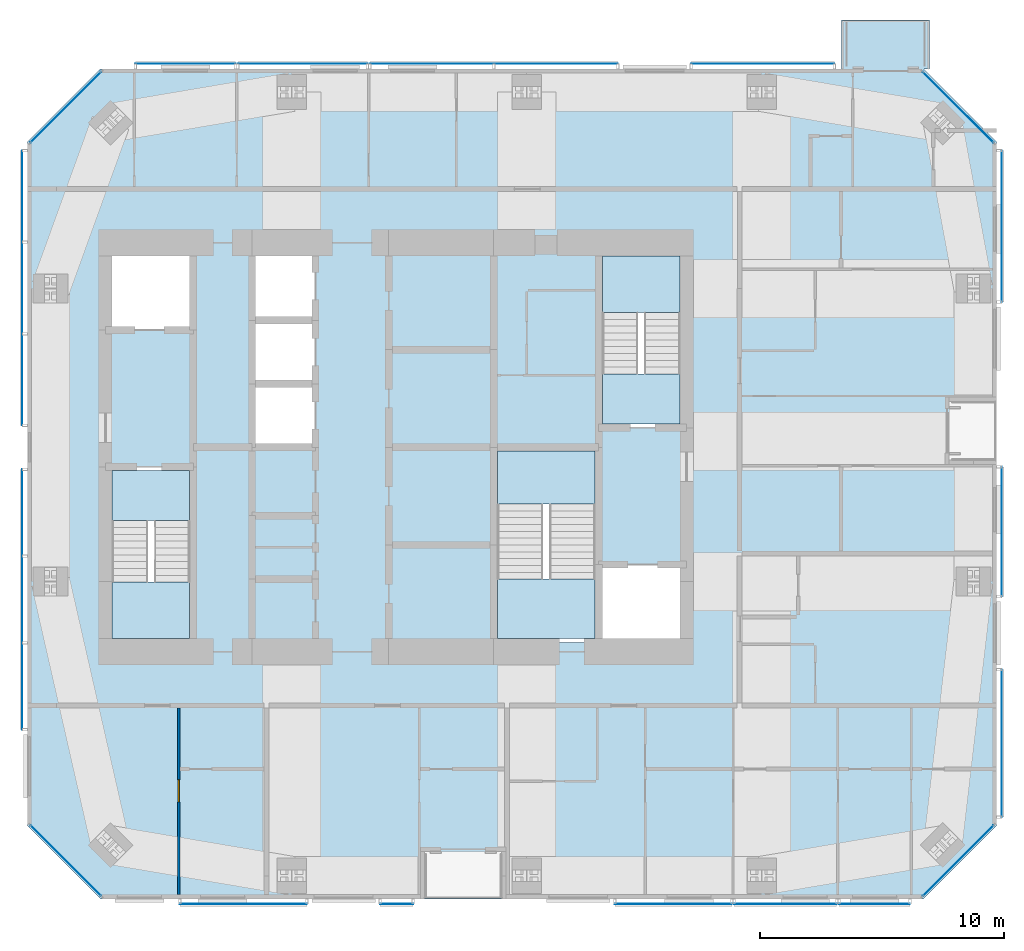
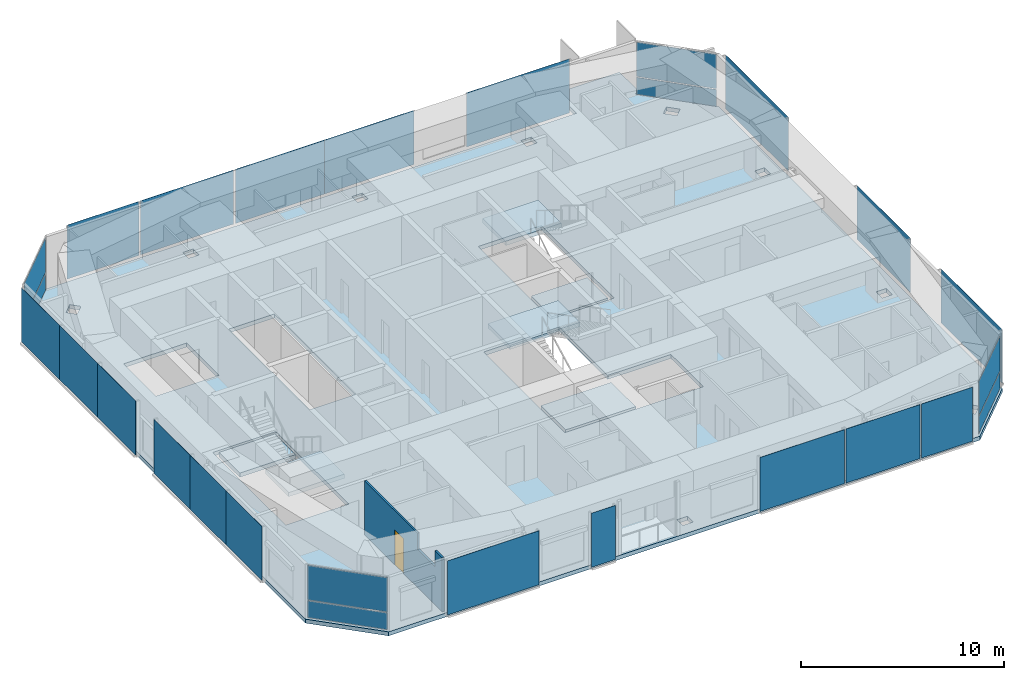
# One storey, part 13 of 20: 27 plates, 7 slabs, 1 door, 1 wall, 1 opening, 21 elements without a shape of their own.
"""IFC4 building model written with IfcOpenShell, lengths in metres."""

from ifc_helpers import new_model, si_unit, direction, frame, frame_2d, origin, origin_2d, place, context, subcontext, project, spatial, polyline, rectangle, outline, extrude, material, layer, layer_set, constituent, constituent_set, type_object, element, fill, aggregate, save


model = new_model("IFC4")

# Units and contexts
model_context = context("Model", 3, precision=1e-05, world=origin(), true_north=direction((0.0, 1.0)))
body_context = subcontext(model_context, "Body", "Model", "MODEL_VIEW")
ifc_project = project(units=[si_unit("LENGTHUNIT", "METRE"), si_unit("AREAUNIT", "SQUARE_METRE"), si_unit("VOLUMEUNIT", "CUBIC_METRE"), si_unit("PLANEANGLEUNIT", "RADIAN"), si_unit("MASSUNIT", "GRAM", prefix="KILO")], contexts=[model_context])

# Site, building, storey
site_placement = place(None, origin())
site = spatial("IfcSite", under=ifc_project, at=site_placement, CompositionType="ELEMENT")
building_placement = place(site_placement, origin())
building = spatial("IfcBuilding", under=site, at=building_placement, Name="Jalousie Tower", CompositionType="ELEMENT")
storey_placement = place(building_placement, frame((0.0, 0.0, 242.449951171875)))
storey = spatial("IfcBuildingStorey", under=building, at=storey_placement, Name="L66", CompositionType="ELEMENT", Elevation=242.449951171875)

# Curtain wall, plates
ifc_material_1 = material(Name="Aluminium curtain wall", Category="aluminium")
curtain_wall_type_1 = type_object("IfcCurtainWallType", Name="CORNER WINDOW WALL", PredefinedType="USERDEFINED", material=ifc_material_1)
curtain_wall_1_placement = place(storey_placement, origin())
curtain_wall_1 = element("IfcCurtainWall", 1, at=curtain_wall_1_placement, inside=storey, type_object=curtain_wall_type_1, Name="Corner Window Wall L66 2", ObjectType="CORNER WINDOW WALL", PredefinedType="USERDEFINED")
ifc_material_2 = material(Name="Laminated impact-rated spandrel glass", Category="glass")
ifc_layer_1 = layer(ifc_material_2, 0.028076171875)
ifc_layer_set_1 = layer_set([ifc_layer_1], Name="Laminated impact-rated spandrel glass")
plate_type_1 = type_object("IfcPlateType", Name="CORNER WINDOW WALL PANEL", PredefinedType="CURTAIN_PANEL", material=ifc_layer_set_1)
plate_1_placement = place(storey_placement, frame((54.9306640625, 1.5693359375, 0.06005859375), z_axis=(0.0, 0.0, 1.0), x_axis=(0.707106781187, 0.707106781187, 0.0)))
plate_1 = element("IfcPlate", 2, at=plate_1_placement, type_object=plate_type_1, Name="CW-C panel 1.1", PredefinedType="CURTAIN_PANEL", context=body_context, shape_type="SweptSolid", body=[
    extrude(rectangle(XDim=4.071533203125, YDim=0.028076171875, at=origin_2d()), origin(), (0.0, 0.0, 1.0), 1.010009765625),
])
plate_2_placement = place(storey_placement, frame((54.9306640625, 1.5693359375, 1.1298828125), z_axis=(0.0, 0.0, 1.0), x_axis=(0.707106781187, 0.707106781187, 0.0)))
plate_2 = element("IfcPlate", 3, at=plate_2_placement, type_object=plate_type_1, Name="CW-C panel 1.2", PredefinedType="CURTAIN_PANEL", context=body_context, shape_type="SweptSolid", body=[
    extrude(rectangle(XDim=4.071533203125, YDim=0.028076171875, at=origin_2d()), origin(), (0.0, 0.0, 1.0), 2.070068359375),
])
aggregate(curtain_wall_1, [plate_1, plate_2])

curtain_wall_2_placement = place(storey_placement, origin())
curtain_wall_2 = element("IfcCurtainWall", 4, at=curtain_wall_2_placement, inside=storey, type_object=curtain_wall_type_1, Name="Corner Window Wall L66 4", ObjectType="CORNER WINDOW WALL", PredefinedType="USERDEFINED")
plate_3_placement = place(storey_placement, frame((54.9306640625, 32.4306640625, 0.06005859375), z_axis=(0.0, 0.0, 1.0), x_axis=(-0.707106781187, 0.707106781187, 0.0)))
plate_3 = element("IfcPlate", 5, at=plate_3_placement, type_object=plate_type_1, Name="CW-C panel 1.1", PredefinedType="CURTAIN_PANEL", context=body_context, shape_type="SweptSolid", body=[
    extrude(rectangle(XDim=4.071533203125, YDim=0.028076171875, at=origin_2d()), origin(), (0.0, 0.0, 1.0), 1.010009765625),
])
plate_4_placement = place(storey_placement, frame((54.9306640625, 32.4306640625, 1.1298828125), z_axis=(0.0, 0.0, 1.0), x_axis=(-0.707106781187, 0.707106781187, 0.0)))
plate_4 = element("IfcPlate", 6, at=plate_4_placement, type_object=plate_type_1, Name="CW-C panel 1.2", PredefinedType="CURTAIN_PANEL", context=body_context, shape_type="SweptSolid", body=[
    extrude(rectangle(XDim=4.071533203125, YDim=0.028076171875, at=origin_2d()), origin(), (0.0, 0.0, 1.0), 2.070068359375),
])
aggregate(curtain_wall_2, [plate_3, plate_4])

curtain_wall_3_placement = place(storey_placement, origin())
curtain_wall_3 = element("IfcCurtainWall", 7, at=curtain_wall_3_placement, inside=storey, type_object=curtain_wall_type_1, Name="Corner Window Wall L66 6", ObjectType="CORNER WINDOW WALL", PredefinedType="USERDEFINED")
plate_5_placement = place(storey_placement, frame((18.369384765625, 32.4306640625, 0.06005859375), z_axis=(0.0, 0.0, 1.0), x_axis=(-0.707106781187, -0.707106781187, 0.0)))
plate_5 = element("IfcPlate", 8, at=plate_5_placement, type_object=plate_type_1, Name="CW-C panel 1.1", PredefinedType="CURTAIN_PANEL", context=body_context, shape_type="SweptSolid", body=[
    extrude(rectangle(XDim=4.071533203125, YDim=0.028076171875, at=origin_2d()), origin(), (0.0, 0.0, 1.0), 1.010009765625),
])
plate_6_placement = place(storey_placement, frame((18.369384765625, 32.4306640625, 1.1298828125), z_axis=(0.0, 0.0, 1.0), x_axis=(-0.707106781187, -0.707106781187, 0.0)))
plate_6 = element("IfcPlate", 9, at=plate_6_placement, type_object=plate_type_1, Name="CW-C panel 1.2", PredefinedType="CURTAIN_PANEL", context=body_context, shape_type="SweptSolid", body=[
    extrude(rectangle(XDim=4.071533203125, YDim=0.028076171875, at=origin_2d()), origin(), (0.0, 0.0, 1.0), 2.070068359375),
])
aggregate(curtain_wall_3, [plate_5, plate_6])

curtain_wall_4_placement = place(storey_placement, origin())
curtain_wall_4 = element("IfcCurtainWall", 10, at=curtain_wall_4_placement, inside=storey, type_object=curtain_wall_type_1, Name="Corner Window Wall L66 8", ObjectType="CORNER WINDOW WALL", PredefinedType="USERDEFINED")
plate_7_placement = place(storey_placement, frame((18.369384765625, 1.5693359375, 0.06005859375), z_axis=(0.0, 0.0, 1.0), x_axis=(0.707106781187, -0.707106781187, 0.0)))
plate_7 = element("IfcPlate", 11, at=plate_7_placement, type_object=plate_type_1, Name="CW-C panel 1.1", PredefinedType="CURTAIN_PANEL", context=body_context, shape_type="SweptSolid", body=[
    extrude(rectangle(XDim=4.071533203125, YDim=0.028076171875, at=origin_2d()), origin(), (0.0, 0.0, 1.0), 1.010009765625),
])
plate_8_placement = place(storey_placement, frame((18.369384765625, 1.5693359375, 1.1298828125), z_axis=(0.0, 0.0, 1.0), x_axis=(0.707106781187, -0.707106781187, 0.0)))
plate_8 = element("IfcPlate", 12, at=plate_8_placement, type_object=plate_type_1, Name="CW-C panel 1.2", PredefinedType="CURTAIN_PANEL", context=body_context, shape_type="SweptSolid", body=[
    extrude(rectangle(XDim=4.071533203125, YDim=0.028076171875, at=origin_2d()), origin(), (0.0, 0.0, 1.0), 2.070068359375),
])
aggregate(curtain_wall_4, [plate_7, plate_8])

# Slab
ifc_material_3 = material(Name="Concrete f'c 40 MPa", Category="concrete")
ifc_layer_2 = layer(ifc_material_3, 0.239990234375)
ifc_layer_set_2 = layer_set([ifc_layer_2], Name="Concrete f'c 40 MPa")
slab_type_1 = type_object("IfcSlabType", Name="FLOOR SLAB 240", PredefinedType="FLOOR", material=ifc_layer_set_2)
slab_1_placement = place(storey_placement, frame((0.0, 0.0, -0.239990234375)))
element("IfcSlab", 13, at=slab_1_placement, inside=storey, type_object=slab_type_1, Name="L66 floor slab", PredefinedType="FLOOR", context=body_context, shape_type="SweptSolid", body=[
    extrude(outline(polyline([(16.800048828125, 3.0), (16.800048828125, 31.0), (19.800048828125, 34.0), (50.148681640625, 34.0), (50.148681640625, 36.0), (53.748779296875, 36.0), (53.748779296875, 34.0), (53.5, 34.0), (56.5, 31.0), (56.5, 3.0), (53.5, 0.0), (19.800048828125, 0.0), (16.800048828125, 3.0)]), holes=[polyline([(55.263916015625, 13.300048828125), (55.263916015625, 12.699951171875), (55.836181640625, 12.699951171875), (55.836181640625, 13.300048828125), (55.263916015625, 13.300048828125)]), polyline([(55.836181640625, 24.699951171875), (55.836181640625, 25.300048828125), (55.263916015625, 25.300048828125), (55.263916015625, 24.699951171875), (55.836181640625, 24.699951171875)]), polyline([(54.247802734375, 1.757080078125), (54.742919921875, 2.252197265625), (54.337890625, 2.656982421875), (53.843017578125, 2.162109375), (54.247802734375, 1.757080078125)]), polyline([(53.843017578125, 31.837890625), (54.337890625, 31.343017578125), (54.742919921875, 31.747802734375), (54.247802734375, 32.242919921875), (53.843017578125, 31.837890625)]), polyline([(46.574951171875, 32.763916015625), (47.175048828125, 32.763916015625), (47.175048828125, 33.336181640625), (46.574951171875, 33.336181640625), (46.574951171875, 32.763916015625)]), polyline([(46.574951171875, 0.663818359375), (47.175048828125, 0.663818359375), (47.175048828125, 1.236083984375), (46.574951171875, 1.236083984375), (46.574951171875, 0.663818359375)]), polyline([(43.800048828125, 10.5), (43.800048828125, 13.699951171875), (40.199951171875, 13.699951171875), (40.199951171875, 18.5), (35.89990234375, 18.5), (35.89990234375, 10.5), (43.800048828125, 10.5)]), polyline([(43.800048828125, 19.300048828125), (43.800048828125, 26.5), (40.199951171875, 26.5), (40.199951171875, 19.300048828125), (43.800048828125, 19.300048828125)]), polyline([(36.949951171875, 32.763916015625), (37.550048828125, 32.763916015625), (37.550048828125, 33.336181640625), (36.949951171875, 33.336181640625), (36.949951171875, 32.763916015625)]), polyline([(37.550048828125, 1.236083984375), (36.949951171875, 1.236083984375), (36.949951171875, 0.663818359375), (37.550048828125, 0.663818359375), (37.550048828125, 1.236083984375)]), polyline([(28.60009765625, 18.5), (28.60009765625, 26.5), (26.0, 26.5), (26.0, 18.5), (28.60009765625, 18.5)]), polyline([(27.324951171875, 32.763916015625), (27.925048828125, 32.763916015625), (27.925048828125, 33.336181640625), (27.324951171875, 33.336181640625), (27.324951171875, 32.763916015625)]), polyline([(27.324951171875, 0.663818359375), (27.925048828125, 0.663818359375), (27.925048828125, 1.236083984375), (27.324951171875, 1.236083984375), (27.324951171875, 0.663818359375)]), polyline([(23.60009765625, 23.300048828125), (23.60009765625, 26.5), (20.0, 26.5), (20.0, 23.300048828125), (23.60009765625, 23.300048828125)]), polyline([(23.60009765625, 10.5), (23.60009765625, 17.699951171875), (20.0, 17.699951171875), (20.0, 10.5), (23.60009765625, 10.5)]), polyline([(19.757080078125, 31.747802734375), (20.162109375, 31.343017578125), (20.656982421875, 31.837890625), (20.252197265625, 32.242919921875), (19.757080078125, 31.747802734375)]), polyline([(19.757080078125, 2.252197265625), (20.252197265625, 1.757080078125), (20.656982421875, 2.162109375), (20.162109375, 2.656982421875), (19.757080078125, 2.252197265625)]), polyline([(18.0361328125, 12.699951171875), (18.0361328125, 13.300048828125), (17.4638671875, 13.300048828125), (17.4638671875, 12.699951171875), (18.0361328125, 12.699951171875)]), polyline([(17.4638671875, 25.300048828125), (17.4638671875, 24.699951171875), (18.0361328125, 24.699951171875), (18.0361328125, 25.300048828125), (17.4638671875, 25.300048828125)])]), origin(), (0.0, 0.0, 1.0), 0.239990234375),
])

# Curtain wall, plate
ifc_material_4 = material(Name="Perforated aluminium sheet", Category="aluminium")
curtain_wall_type_2 = type_object("IfcCurtainWallType", Name="SOLAR SCREEN SS-2", PredefinedType="USERDEFINED", material=ifc_material_4)
curtain_wall_5_placement = place(storey_placement, origin())
curtain_wall_5 = element("IfcCurtainWall", 14, at=curtain_wall_5_placement, inside=storey, type_object=curtain_wall_type_2, Name="Solar screen L66", ObjectType="SOLAR SCREEN SS-2", PredefinedType="USERDEFINED")
ifc_material_5 = material(Name="Perforated aluminium sheet", Category="aluminium")
ifc_layer_3 = layer(ifc_material_5, 0.006103515625)
ifc_layer_set_3 = layer_set([ifc_layer_3], Name="Perforated aluminium sheet")
plate_type_2 = type_object("IfcPlateType", Name="SOLAR SCREEN SS-2 PANEL", PredefinedType="CURTAIN_PANEL", material=ifc_layer_set_3)
plate_9_placement = place(storey_placement, frame((25.64990234375, -0.201171875, 0.0), z_axis=(0.0, 0.0, 1.0), x_axis=(1.0, 0.0, 0.0)))
plate_9 = element("IfcPlate", 15, at=plate_9_placement, type_object=plate_type_2, Name="SS2 perforated panel 1", PredefinedType="CURTAIN_PANEL", context=body_context, shape_type="SweptSolid", body=[
    extrude(rectangle(XDim=5.199951171875, YDim=0.006103515625, at=origin_2d()), origin(), (0.0, 0.0, 1.0), 3.260009765625),
])
aggregate(curtain_wall_5, [plate_9])

curtain_wall_6_placement = place(storey_placement, origin())
curtain_wall_6 = element("IfcCurtainWall", 16, at=curtain_wall_6_placement, inside=storey, type_object=curtain_wall_type_2, Name="Solar screen L66", ObjectType="SOLAR SCREEN SS-2", PredefinedType="USERDEFINED")
plate_10_placement = place(storey_placement, frame((31.925048828125, -0.201171875, 0.0), z_axis=(0.0, 0.0, 1.0), x_axis=(1.0, 0.0, 0.0)))
plate_10 = element("IfcPlate", 17, at=plate_10_placement, type_object=plate_type_2, Name="SS2 perforated panel 1", PredefinedType="CURTAIN_PANEL", context=body_context, shape_type="SweptSolid", body=[
    extrude(rectangle(XDim=1.35009765625, YDim=0.006103515625, at=origin_2d()), origin(), (0.0, 0.0, 1.0), 3.260009765625),
])
aggregate(curtain_wall_6, [plate_10])

curtain_wall_7_placement = place(storey_placement, origin())
curtain_wall_7 = element("IfcCurtainWall", 18, at=curtain_wall_7_placement, inside=storey, type_object=curtain_wall_type_2, Name="Solar screen L66", ObjectType="SOLAR SCREEN SS-2", PredefinedType="USERDEFINED")
plate_11_placement = place(storey_placement, frame((43.2548828125, -0.201171875, 0.0), z_axis=(0.0, 0.0, 1.0), x_axis=(1.0, 0.0, 0.0)))
plate_11 = element("IfcPlate", 19, at=plate_11_placement, type_object=plate_type_2, Name="SS2 perforated panel 1", PredefinedType="CURTAIN_PANEL", context=body_context, shape_type="SweptSolid", body=[
    extrude(rectangle(XDim=4.7900390625, YDim=0.006103515625, at=origin_2d()), origin(), (0.0, 0.0, 1.0), 3.260009765625),
])
aggregate(curtain_wall_7, [plate_11])

curtain_wall_8_placement = place(storey_placement, origin())
curtain_wall_8 = element("IfcCurtainWall", 20, at=curtain_wall_8_placement, inside=storey, type_object=curtain_wall_type_2, Name="Solar screen L66", ObjectType="SOLAR SCREEN SS-2", PredefinedType="USERDEFINED")
plate_12_placement = place(storey_placement, frame((47.85009765625, -0.201171875, 0.0), z_axis=(0.0, 0.0, 1.0), x_axis=(1.0, 0.0, 0.0)))
plate_12 = element("IfcPlate", 21, at=plate_12_placement, type_object=plate_type_2, Name="SS2 perforated panel 1", PredefinedType="CURTAIN_PANEL", context=body_context, shape_type="SweptSolid", body=[
    extrude(rectangle(XDim=4.199951171875, YDim=0.006103515625, at=origin_2d()), origin(), (0.0, 0.0, 1.0), 3.260009765625),
])
aggregate(curtain_wall_8, [plate_12])

curtain_wall_9_placement = place(storey_placement, origin())
curtain_wall_9 = element("IfcCurtainWall", 22, at=curtain_wall_9_placement, inside=storey, type_object=curtain_wall_type_2, Name="Solar screen L66", ObjectType="SOLAR SCREEN SS-2", PredefinedType="USERDEFINED")
plate_13_placement = place(storey_placement, frame((51.5, -0.201171875, 0.0), z_axis=(0.0, 0.0, 1.0), x_axis=(1.0, 0.0, 0.0)))
plate_13 = element("IfcPlate", 23, at=plate_13_placement, type_object=plate_type_2, Name="SS2 perforated panel 1", PredefinedType="CURTAIN_PANEL", context=body_context, shape_type="SweptSolid", body=[
    extrude(rectangle(XDim=2.89990234375, YDim=0.006103515625, at=origin_2d()), origin(), (0.0, 0.0, 1.0), 3.260009765625),
])
aggregate(curtain_wall_9, [plate_13])

curtain_wall_10_placement = place(storey_placement, origin())
curtain_wall_10 = element("IfcCurtainWall", 24, at=curtain_wall_10_placement, inside=storey, type_object=curtain_wall_type_2, Name="Solar screen L66", ObjectType="SOLAR SCREEN SS-2", PredefinedType="USERDEFINED")
plate_14_placement = place(storey_placement, frame((56.701171875, 6.371337890625, 0.0), z_axis=(0.0, 0.0, 1.0), x_axis=(0.0, 1.0, 0.0)))
plate_14 = element("IfcPlate", 25, at=plate_14_placement, type_object=plate_type_2, Name="SS2 perforated panel 1", PredefinedType="CURTAIN_PANEL", context=body_context, shape_type="SweptSolid", body=[
    extrude(rectangle(XDim=6.0400390625, YDim=0.006103515625, at=origin_2d()), origin(), (0.0, 0.0, 1.0), 3.260009765625),
])
aggregate(curtain_wall_10, [plate_14])

curtain_wall_11_placement = place(storey_placement, origin())
curtain_wall_11 = element("IfcCurtainWall", 26, at=curtain_wall_11_placement, inside=storey, type_object=curtain_wall_type_2, Name="Solar screen L66", ObjectType="SOLAR SCREEN SS-2", PredefinedType="USERDEFINED")
plate_15_placement = place(storey_placement, frame((56.701171875, 15.045654296875, 0.0), z_axis=(0.0, 0.0, 1.0), x_axis=(0.0, 1.0, 0.0)))
plate_15 = element("IfcPlate", 27, at=plate_15_placement, type_object=plate_type_2, Name="SS2 perforated panel 1", PredefinedType="CURTAIN_PANEL", context=body_context, shape_type="SweptSolid", body=[
    extrude(rectangle(XDim=5.30859375, YDim=0.006103515625, at=origin_2d()), origin(), (0.0, 0.0, 1.0), 3.260009765625),
])
aggregate(curtain_wall_11, [plate_15])

curtain_wall_12_placement = place(storey_placement, origin())
curtain_wall_12 = element("IfcCurtainWall", 28, at=curtain_wall_12_placement, inside=storey, type_object=curtain_wall_type_2, Name="Solar screen L66", ObjectType="SOLAR SCREEN SS-2", PredefinedType="USERDEFINED")
plate_16_placement = place(storey_placement, frame((56.701171875, 27.54931640625, 0.0), z_axis=(0.0, 0.0, 1.0), x_axis=(0.0, 1.0, 0.0)))
plate_16 = element("IfcPlate", 29, at=plate_16_placement, type_object=plate_type_2, Name="SS2 perforated panel 1", PredefinedType="CURTAIN_PANEL", context=body_context, shape_type="SweptSolid", body=[
    extrude(rectangle(XDim=6.19873046875, YDim=0.006103515625, at=origin_2d()), origin(), (0.0, 0.0, 1.0), 3.260009765625),
])
aggregate(curtain_wall_12, [plate_16])

curtain_wall_13_placement = place(storey_placement, origin())
curtain_wall_13 = element("IfcCurtainWall", 30, at=curtain_wall_13_placement, inside=storey, type_object=curtain_wall_type_2, Name="Solar screen L66", ObjectType="SOLAR SCREEN SS-2", PredefinedType="USERDEFINED")
plate_17_placement = place(storey_placement, frame((46.918701171875, 34.201171875, 0.0), z_axis=(0.0, 0.0, 1.0), x_axis=(-1.0, 0.0, 0.0)))
plate_17 = element("IfcPlate", 31, at=plate_17_placement, type_object=plate_type_2, Name="SS2 perforated panel 1", PredefinedType="CURTAIN_PANEL", context=body_context, shape_type="SweptSolid", body=[
    extrude(rectangle(XDim=5.860107421875, YDim=0.006103515625, at=origin_2d()), origin(), (0.0, 0.0, 1.0), 3.260009765625),
])
aggregate(curtain_wall_13, [plate_17])

# Curtain wall, plates
curtain_wall_14_placement = place(storey_placement, origin())
curtain_wall_14 = element("IfcCurtainWall", 32, at=curtain_wall_14_placement, inside=storey, type_object=curtain_wall_type_2, Name="Solar screen L66", ObjectType="SOLAR SCREEN SS-2", PredefinedType="USERDEFINED")
plate_18_placement = place(storey_placement, frame((38.44775390625, 34.201171875, 0.0), z_axis=(0.0, 0.0, 1.0), x_axis=(-1.0, 0.0, 0.0)))
plate_18 = element("IfcPlate", 33, at=plate_18_placement, type_object=plate_type_2, Name="SS2 perforated panel 1", PredefinedType="CURTAIN_PANEL", context=body_context, shape_type="SweptSolid", body=[
    extrude(rectangle(XDim=5.081787109375, YDim=0.006103515625, at=origin_2d()), origin(), (0.0, 0.0, 1.0), 3.260009765625),
])
plate_19_placement = place(storey_placement, frame((33.365966796875, 34.201171875, 0.0), z_axis=(0.0, 0.0, 1.0), x_axis=(-1.0, 0.0, 0.0)))
plate_19 = element("IfcPlate", 34, at=plate_19_placement, type_object=plate_type_2, Name="SS2 perforated panel 2", PredefinedType="CURTAIN_PANEL", context=body_context, shape_type="SweptSolid", body=[
    extrude(rectangle(XDim=5.081787109375, YDim=0.006103515625, at=origin_2d()), origin(), (0.0, 0.0, 1.0), 3.260009765625),
])
aggregate(curtain_wall_14, [plate_18, plate_19])

# Curtain wall, plate
curtain_wall_15_placement = place(storey_placement, origin())
curtain_wall_15 = element("IfcCurtainWall", 35, at=curtain_wall_15_placement, inside=storey, type_object=curtain_wall_type_2, Name="Solar screen L66", ObjectType="SOLAR SCREEN SS-2", PredefinedType="USERDEFINED")
plate_20_placement = place(storey_placement, frame((28.074951171875, 34.201171875, 0.0), z_axis=(0.0, 0.0, 1.0), x_axis=(-1.0, 0.0, 0.0)))
plate_20 = element("IfcPlate", 36, at=plate_20_placement, type_object=plate_type_2, Name="SS2 perforated panel 1", PredefinedType="CURTAIN_PANEL", context=body_context, shape_type="SweptSolid", body=[
    extrude(rectangle(XDim=5.300048828125, YDim=0.006103515625, at=origin_2d()), origin(), (0.0, 0.0, 1.0), 3.260009765625),
])
aggregate(curtain_wall_15, [plate_20])

curtain_wall_16_placement = place(storey_placement, origin())
curtain_wall_16 = element("IfcCurtainWall", 37, at=curtain_wall_16_placement, inside=storey, type_object=curtain_wall_type_2, Name="Solar screen L66", ObjectType="SOLAR SCREEN SS-2", PredefinedType="USERDEFINED")
plate_21_placement = place(storey_placement, frame((23.275634765625, 34.201171875, 0.0), z_axis=(0.0, 0.0, 1.0), x_axis=(-1.0, 0.0, 0.0)))
plate_21 = element("IfcPlate", 38, at=plate_21_placement, type_object=plate_type_2, Name="SS2 perforated panel 1", PredefinedType="CURTAIN_PANEL", context=body_context, shape_type="SweptSolid", body=[
    extrude(rectangle(XDim=4.0986328125, YDim=0.006103515625, at=origin_2d()), origin(), (0.0, 0.0, 1.0), 3.260009765625),
])
aggregate(curtain_wall_16, [plate_21])

# Curtain wall, plates
curtain_wall_17_placement = place(storey_placement, origin())
curtain_wall_17 = element("IfcCurtainWall", 39, at=curtain_wall_17_placement, inside=storey, type_object=curtain_wall_type_2, Name="Solar screen L66", ObjectType="SOLAR SCREEN SS-2", PredefinedType="USERDEFINED")
plate_22_placement = place(storey_placement, frame((16.598876953125, 28.77392578125, 0.0), z_axis=(0.0, 0.0, 1.0), x_axis=(0.0, -1.0, 0.0)))
plate_22 = element("IfcPlate", 40, at=plate_22_placement, type_object=plate_type_2, Name="SS2 perforated panel 1", PredefinedType="CURTAIN_PANEL", context=body_context, shape_type="SweptSolid", body=[
    extrude(rectangle(XDim=3.74951171875, YDim=0.006103515625, at=origin_2d()), origin(), (0.0, 0.0, 1.0), 3.260009765625),
])
plate_23_placement = place(storey_placement, frame((16.598876953125, 25.0244140625, 0.0), z_axis=(0.0, 0.0, 1.0), x_axis=(0.0, -1.0, 0.0)))
plate_23 = element("IfcPlate", 41, at=plate_23_placement, type_object=plate_type_2, Name="SS2 perforated panel 2", PredefinedType="CURTAIN_PANEL", context=body_context, shape_type="SweptSolid", body=[
    extrude(rectangle(XDim=3.74951171875, YDim=0.006103515625, at=origin_2d()), origin(), (0.0, 0.0, 1.0), 3.260009765625),
])
plate_24_placement = place(storey_placement, frame((16.598876953125, 21.27490234375, 0.0), z_axis=(0.0, 0.0, 1.0), x_axis=(0.0, -1.0, 0.0)))
plate_24 = element("IfcPlate", 42, at=plate_24_placement, type_object=plate_type_2, Name="SS2 perforated panel 3", PredefinedType="CURTAIN_PANEL", context=body_context, shape_type="SweptSolid", body=[
    extrude(rectangle(XDim=3.74951171875, YDim=0.006103515625, at=origin_2d()), origin(), (0.0, 0.0, 1.0), 3.260009765625),
])
aggregate(curtain_wall_17, [plate_22, plate_23, plate_24])

curtain_wall_18_placement = place(storey_placement, origin())
curtain_wall_18 = element("IfcCurtainWall", 43, at=curtain_wall_18_placement, inside=storey, type_object=curtain_wall_type_2, Name="Solar screen L66", ObjectType="SOLAR SCREEN SS-2", PredefinedType="USERDEFINED")
plate_25_placement = place(storey_placement, frame((16.598876953125, 15.822998046875, 0.0), z_axis=(0.0, 0.0, 1.0), x_axis=(0.0, -1.0, 0.0)))
plate_25 = element("IfcPlate", 44, at=plate_25_placement, type_object=plate_type_2, Name="SS2 perforated panel 1", PredefinedType="CURTAIN_PANEL", context=body_context, shape_type="SweptSolid", body=[
    extrude(rectangle(XDim=3.553955078125, YDim=0.006103515625, at=origin_2d()), origin(), (0.0, 0.0, 1.0), 3.260009765625),
])
plate_26_placement = place(storey_placement, frame((16.598876953125, 12.26904296875, 0.0), z_axis=(0.0, 0.0, 1.0), x_axis=(0.0, -1.0, 0.0)))
plate_26 = element("IfcPlate", 45, at=plate_26_placement, type_object=plate_type_2, Name="SS2 perforated panel 2", PredefinedType="CURTAIN_PANEL", context=body_context, shape_type="SweptSolid", body=[
    extrude(rectangle(XDim=3.553955078125, YDim=0.006103515625, at=origin_2d()), origin(), (0.0, 0.0, 1.0), 3.260009765625),
])
plate_27_placement = place(storey_placement, frame((16.598876953125, 8.715087890625, 0.0), z_axis=(0.0, 0.0, 1.0), x_axis=(0.0, -1.0, 0.0)))
plate_27 = element("IfcPlate", 46, at=plate_27_placement, type_object=plate_type_2, Name="SS2 perforated panel 3", PredefinedType="CURTAIN_PANEL", context=body_context, shape_type="SweptSolid", body=[
    extrude(rectangle(XDim=3.553955078125, YDim=0.006103515625, at=origin_2d()), origin(), (0.0, 0.0, 1.0), 3.260009765625),
])
aggregate(curtain_wall_18, [plate_25, plate_26, plate_27])

# Stair, slabs
ifc_material_6 = material(Name="Concrete f'c 40 MPa", Category="concrete")
stair_type = type_object("IfcStairType", Name="EXIT STAIR", PredefinedType="HALF_TURN_STAIR", material=ifc_material_6)
stair_1_placement = place(storey_placement, origin())
stair_1 = element("IfcStair", 47, at=stair_1_placement, inside=storey, type_object=stair_type, Name="Exit stair A L66", PredefinedType="HALF_TURN_STAIR")
ifc_material_7 = material(Name="Concrete f'c 40 MPa", Category="concrete")
ifc_layer_4 = layer(ifc_material_7, 0.25)
ifc_layer_set_4 = layer_set([ifc_layer_4], Name="Concrete f'c 40 MPa")
slab_type_2 = type_object("IfcSlabType", Name="STAIR LANDING 250", PredefinedType="LANDING", material=ifc_layer_set_4)
slab_2_placement = place(storey_placement, frame((0.0, 0.0, -0.25)))
slab_2 = element("IfcSlab", 48, at=slab_2_placement, type_object=slab_type_2, Name="ST-A landing 1", PredefinedType="LANDING", context=body_context, shape_type="SweptSolid", body=[
    extrude(outline(polyline([(20.27490234375, 15.49755859375), (23.449951171875, 15.49755859375), (23.449951171875, 17.550048828125), (20.27490234375, 17.550048828125), (20.27490234375, 15.49755859375)])), origin(), (0.0, 0.0, 1.0), 0.25),
])
slab_3_placement = place(storey_placement, frame((0.0, 0.0, 1.5)))
slab_3 = element("IfcSlab", 49, at=slab_3_placement, type_object=slab_type_2, Name="ST-A landing 2", PredefinedType="LANDING", context=body_context, shape_type="SweptSolid", body=[
    extrude(outline(polyline([(20.27490234375, 10.675048828125), (23.449951171875, 10.675048828125), (23.449951171875, 12.9775390625), (20.27490234375, 12.9775390625), (20.27490234375, 10.675048828125)])), origin(), (0.0, 0.0, 1.0), 0.25),
])
aggregate(stair_1, [slab_2, slab_3])

stair_2_placement = place(storey_placement, origin())
stair_2 = element("IfcStair", 50, at=stair_2_placement, inside=storey, type_object=stair_type, Name="Exit stair B L66", PredefinedType="HALF_TURN_STAIR")
slab_4_placement = place(storey_placement, frame((0.0, 0.0, -0.25)))
slab_4 = element("IfcSlab", 51, at=slab_4_placement, type_object=slab_type_2, Name="ST-B landing 1", PredefinedType="LANDING", context=body_context, shape_type="SweptSolid", body=[
    extrude(outline(polyline([(40.35009765625, 19.449951171875), (43.52490234375, 19.449951171875), (43.52490234375, 21.50244140625), (40.35009765625, 21.50244140625), (40.35009765625, 19.449951171875)])), origin(), (0.0, 0.0, 1.0), 0.25),
])
slab_5_placement = place(storey_placement, frame((0.0, 0.0, 1.5)))
slab_5 = element("IfcSlab", 52, at=slab_5_placement, type_object=slab_type_2, Name="ST-B landing 2", PredefinedType="LANDING", context=body_context, shape_type="SweptSolid", body=[
    extrude(outline(polyline([(40.35009765625, 24.0224609375), (43.52490234375, 24.0224609375), (43.52490234375, 26.324951171875), (40.35009765625, 26.324951171875), (40.35009765625, 24.0224609375)])), origin(), (0.0, 0.0, 1.0), 0.25),
])
aggregate(stair_2, [slab_4, slab_5])

stair_3_placement = place(storey_placement, origin())
stair_3 = element("IfcStair", 53, at=stair_3_placement, inside=storey, type_object=stair_type, Name="Exit stair C L66", PredefinedType="HALF_TURN_STAIR")
slab_6_placement = place(storey_placement, frame((0.0, 0.0, -0.25)))
slab_6 = element("IfcSlab", 54, at=slab_6_placement, type_object=slab_type_2, Name="ST-C landing 1", PredefinedType="LANDING", context=body_context, shape_type="SweptSolid", body=[
    extrude(outline(polyline([(36.050048828125, 10.675048828125), (40.050048828125, 10.675048828125), (40.050048828125, 13.097412109375), (36.050048828125, 13.097412109375), (36.050048828125, 10.675048828125)])), origin(), (0.0, 0.0, 1.0), 0.25),
])
slab_7_placement = place(storey_placement, frame((0.0, 0.0, 1.5)))
slab_7 = element("IfcSlab", 55, at=slab_7_placement, type_object=slab_type_2, Name="ST-C landing 2", PredefinedType="LANDING", context=body_context, shape_type="SweptSolid", body=[
    extrude(outline(polyline([(36.050048828125, 16.177490234375), (40.050048828125, 16.177490234375), (40.050048828125, 18.35009765625), (36.050048828125, 18.35009765625), (36.050048828125, 16.177490234375)])), origin(), (0.0, 0.0, 1.0), 0.25),
])
aggregate(stair_3, [slab_6, slab_7])

# Wall, opening, door
ifc_material_8 = material(Name="Gypsum board", Category="gypsum")
ifc_constituent_1 = constituent(ifc_material_8, Name="Body")
ifc_material_9 = material(Name="Light-gauge steel studs ASTM A653 SS Grade 33", Category="steel")
ifc_constituent_2 = constituent(ifc_material_9, Name="Framing")
ifc_constituent_set = constituent_set(constituents=[ifc_constituent_1, ifc_constituent_2])
wall_type = type_object("IfcWallType", Name="PARTITION 100", PredefinedType="PARTITIONING", material=ifc_constituent_set)
wall_placement = place(storey_placement, frame((23.0, 0.175048828125, 0.0), z_axis=(0.0, 0.0, 1.0), x_axis=(0.0, 1.0, 0.0)))
wall = element("IfcWall", 56, at=wall_placement, inside=storey, type_object=wall_type, Name="Partition 100 L66", PredefinedType="PARTITIONING", context=body_context, shape_type="SweptSolid", body=[
    extrude(outline(polyline([(0.0, 0.0), (7.64990234375, 0.0), (7.64990234375, 3.260009765625), (2.43115234375, 3.260009765625), (2.43115234375, 2.300048828125), (0.6865234375, 2.300048828125), (0.6865234375, 3.260009765625), (0.0, 3.260009765625), (0.0, 0.0)])), frame((0.0, 0.050048828125, 0.0), z_axis=(0.0, -1.0, 0.0), x_axis=(1.0, 0.0, 0.0)), (0.0, 0.0, 1.0), 0.10009765625),
])
opening_placement = place(wall_placement, frame((3.800048828125, 0.0, 0.0)))
opening = element("IfcOpeningElement", 57, at=opening_placement, cuts=wall, Name="Opening D2", PredefinedType="OPENING", context=body_context, shape_type="SweptSolid", body=[
    extrude(rectangle(XDim=0.89990234375, YDim=2.10009765625, at=frame_2d((0.449951171875, 1.050048828125))), frame((0.0, 0.06005859375, 0.0), z_axis=(0.0, -1.0, 0.0), x_axis=(1.0, 0.0, 0.0)), (0.0, 0.0, 1.0), 0.1201171875),
])
ifc_material_10 = material(Name="Timber door", Category="wood")
door_type = type_object("IfcDoorType", Name="BEDROOM DOOR 900", OperationType="SINGLE_SWING_LEFT", PredefinedType="DOOR", material=ifc_material_10)
door_placement = place(opening_placement, frame((0.89990234375, 0.0, 0.0), z_axis=(0.0, 0.0, 1.0), x_axis=(-1.0, 0.0, 0.0)))
door = element("IfcDoor", 58, at=door_placement, inside=storey, type_object=door_type, Name="Apartment 6601 bedroom 1 door", OperationType="SINGLE_SWING_LEFT", OverallHeight=2.10009765625, OverallWidth=0.89990234375, PredefinedType="DOOR", context=body_context, shape_type="SweptSolid", body=[
    extrude(rectangle(XDim=0.89990234375, YDim=2.10009765625, at=frame_2d((0.449951171875, 1.050048828125))), frame((0.0, 0.02490234375, 0.0), z_axis=(0.0, -1.0, 0.0), x_axis=(1.0, 0.0, 0.0)), (0.0, 0.0, 1.0), 0.050048828125),
])
fill(opening, door)

save(model, "model.ifc")
